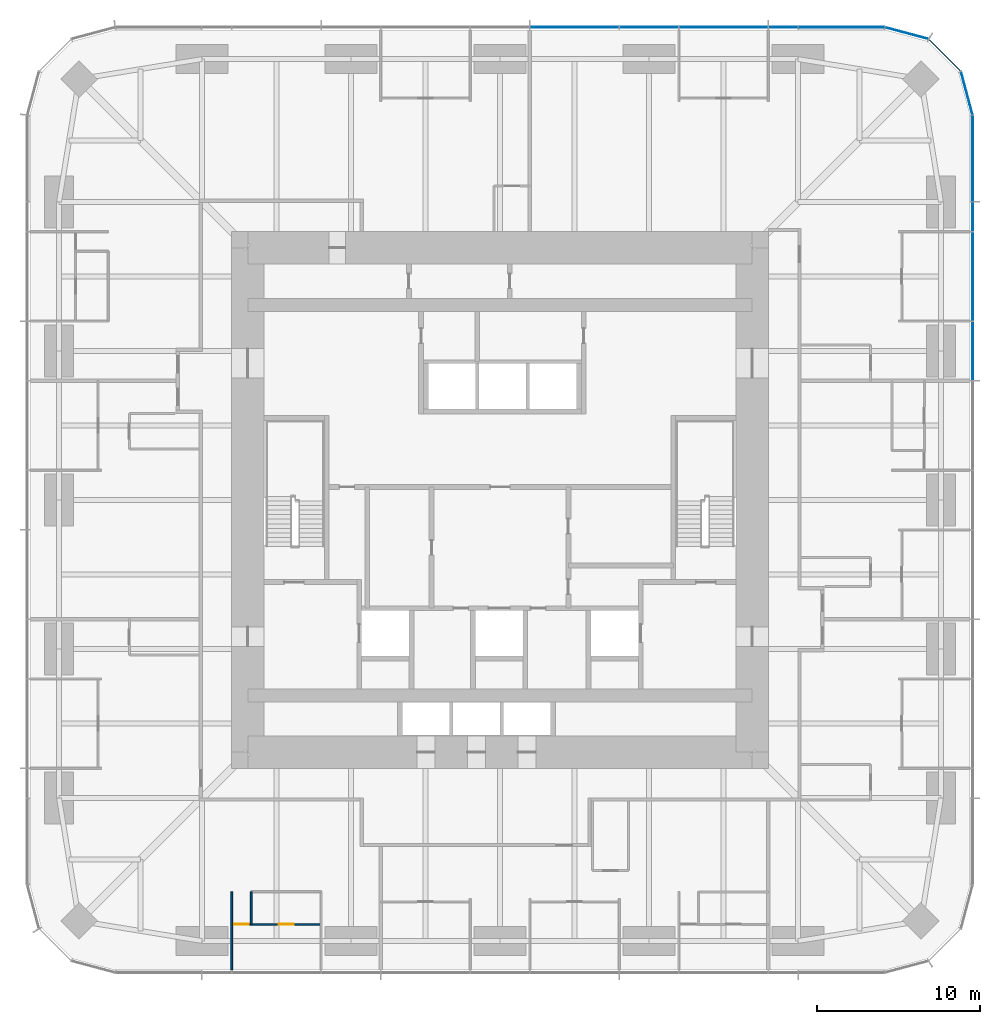
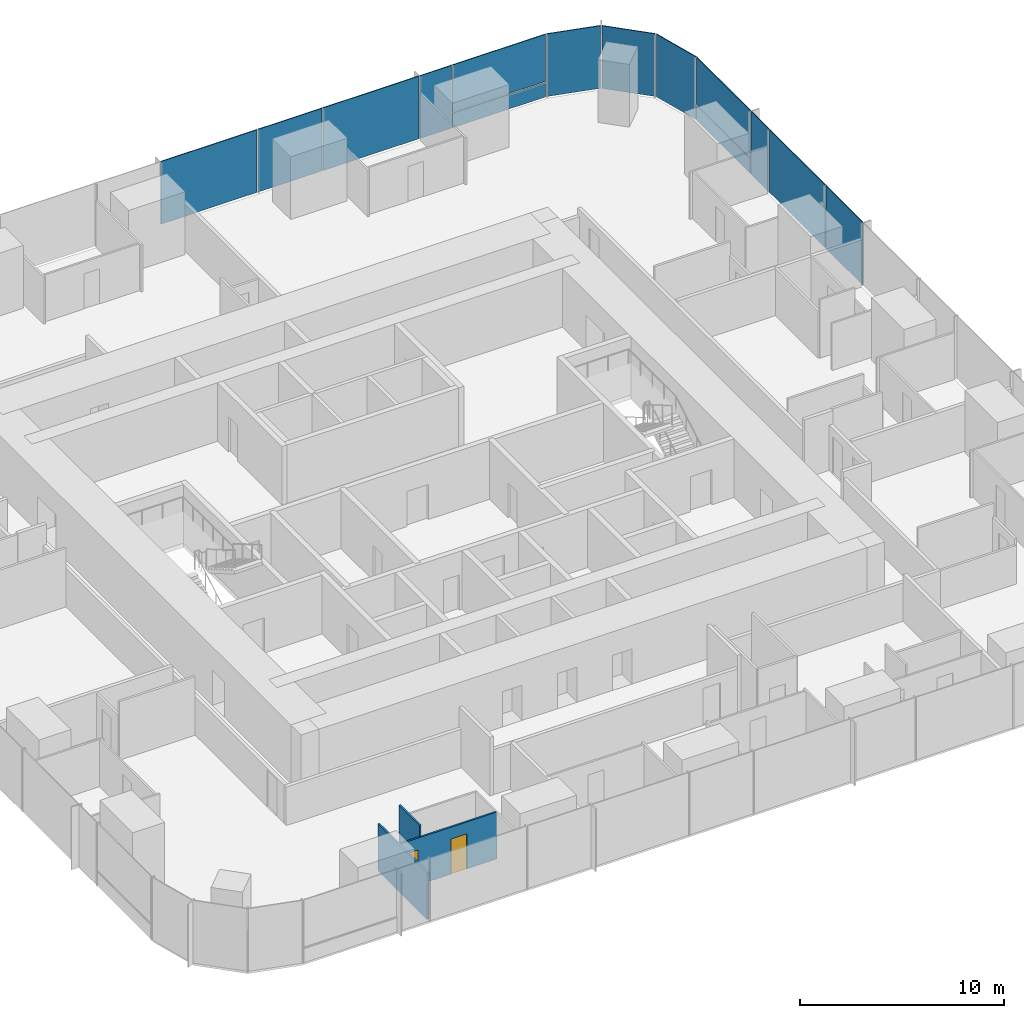
# One storey, part 8 of 13: 14 plates, 3 walls, 2 doors, 2 openings, 3 elements without a shape of their own.
"""IFC4 building model written with IfcOpenShell, lengths in metres."""

import ifcopenshell
import ifcopenshell.guid

model = None  # the IFC model being written
_history = None  # IfcOwnerHistory: only IFC2X3 demands one
_inside = {}  # id of a spatial element -> (the spatial element, [elements in it])
_under = {}  # id of a project, library or spatial element -> (it, [spatial elements below it])
_declared = {}  # id of a project -> (the project, [libraries it declares])
_typed = {}  # id of a type object -> (the type object, [elements of that type])
_made_of = {}  # id of a material, layer set ... -> (it, [elements and type objects made of it])


def new_model(schema):
    """Start an empty IFC model of exactly this schema.

    Asked for "IFC4X3", IfcOpenShell would pick the latest addendum, in which some entities
    have other attributes; the version numbers below select the first issue.
    IFC2X3 requires an IfcOwnerHistory on every rooted entity: one is made here for all.
    """
    global model, _history
    if schema == "IFC4X3":
        model = ifcopenshell.file(schema_version=(4, 3, 0, 0))
    else:
        model = ifcopenshell.file(schema=schema)
    _inside.clear()
    _under.clear()
    _declared.clear()
    _typed.clear()
    _made_of.clear()
    _history = None
    if model.schema == "IFC2X3":
        org = make("IfcOrganization", Name="unknown")
        user = make(
            "IfcPersonAndOrganization",
            ThePerson=make("IfcPerson", FamilyName="unknown"),
            TheOrganization=org,
        )
        app = make(
            "IfcApplication",
            ApplicationDeveloper=org,
            Version="unknown",
            ApplicationFullName="unknown",
            ApplicationIdentifier="unknown",
        )
        _history = make(
            "IfcOwnerHistory",
            OwningUser=user,
            OwningApplication=app,
            ChangeAction="ADDED",
            CreationDate=0,
        )
    return model


def make(cls, **values):
    """One entity of the class cls with the attributes given. An attribute that is None is left unset."""
    return model.create_entity(
        cls, **{name: value for name, value in values.items() if value is not None}
    )


def rooted(cls, **values):
    """An entity with a GlobalId (a new one), such as an element, a storey or a relation."""
    return make(cls, GlobalId=ifcopenshell.guid.new(), OwnerHistory=_history, **values)


def si_unit(unit_type, name, prefix=None):
    """IfcSIUnit, for example si_unit("LENGTHUNIT", "METRE", prefix="MILLI")."""
    return make("IfcSIUnit", UnitType=unit_type, Prefix=prefix, Name=name)


def assignment(units):
    """IfcUnitAssignment: the units of a project."""
    return None if units is None else make("IfcUnitAssignment", Units=units)


def point(xyz):
    """IfcCartesianPoint."""
    return None if xyz is None else make("IfcCartesianPoint", Coordinates=xyz)


def direction(xyz):
    """IfcDirection."""
    return None if xyz is None else make("IfcDirection", DirectionRatios=xyz)


def frame(location, z_axis=None, x_axis=None):
    """IfcAxis2Placement3D, a coordinate frame: its origin and axes. An axis left out is left unset."""
    return make(
        "IfcAxis2Placement3D",
        Location=point(location),
        Axis=direction(z_axis),
        RefDirection=direction(x_axis),
    )


def frame_2d(location, x_axis=None):
    """IfcAxis2Placement2D, a coordinate frame in the plane: its origin and x axis."""
    return make(
        "IfcAxis2Placement2D", Location=point(location), RefDirection=direction(x_axis)
    )


def origin():
    """The frame at (0, 0, 0) with its axes left unset."""
    return frame((0.0, 0.0, 0.0))


def origin_2d():
    """The frame at (0, 0) in the plane with its x axis left unset."""
    return frame_2d((0.0, 0.0))


def place(relative_to, where):
    """IfcLocalPlacement: puts the frame where relative to a parent placement (None: the world)."""
    return make(
        "IfcLocalPlacement", PlacementRelTo=relative_to, RelativePlacement=where
    )


def context(
    kind, dimensions, precision=None, world=None, true_north=None, identifier=None
):
    """IfcGeometricRepresentationContext, for example the 3D "Model" context."""
    return make(
        "IfcGeometricRepresentationContext",
        ContextIdentifier=identifier,
        ContextType=kind,
        CoordinateSpaceDimension=dimensions,
        Precision=precision,
        WorldCoordinateSystem=world,
        TrueNorth=true_north,
    )


def subcontext(parent, identifier, kind, view, scale=None):
    """IfcGeometricRepresentationSubContext, for example "Body" below "Model"."""
    return make(
        "IfcGeometricRepresentationSubContext",
        ContextIdentifier=identifier,
        ContextType=kind,
        ParentContext=parent,
        TargetScale=scale,
        TargetView=view,
    )


def project(units=None, contexts=None):
    """IfcProject with its units and contexts."""
    return rooted(
        "IfcProject",
        Name="project",
        RepresentationContexts=contexts,
        UnitsInContext=assignment(units),
    )


def spatial(cls, under=None, at=None, **own):
    """A site, building, storey or space (cls), placed at a placement, below another one or the project."""
    s = rooted(cls, ObjectPlacement=at, **own)
    if under is not None:
        _under.setdefault(under.id(), (under, []))[1].append(s)
    return s


def profile(cls, at=None, kind="AREA", **sizes):
    """A parametric profile (cls). Its sizes go by their IFC names, for example OverallWidth=200.0."""
    return make(cls, ProfileType=kind, Position=at, **sizes)


def rectangle(**sizes):
    """IfcRectangleProfileDef."""
    return profile("IfcRectangleProfileDef", **sizes)


def extrude(swept, where, along, depth):
    """IfcExtrudedAreaSolid: the profile swept, set in the frame where, extruded along a direction by depth."""
    return make(
        "IfcExtrudedAreaSolid",
        SweptArea=swept,
        Position=where,
        ExtrudedDirection=direction(along),
        Depth=depth,
    )


def shape(context_of_items, identifier, shape_type, items):
    """IfcShapeRepresentation: the items that make up one representation, for example the "Body"."""
    return make(
        "IfcShapeRepresentation",
        ContextOfItems=context_of_items,
        RepresentationIdentifier=identifier,
        RepresentationType=shape_type,
        Items=items,
    )


def material(Name=None, Category=None):
    """IfcMaterial."""
    return make("IfcMaterial", Name=Name, Category=Category)


def layer(
    of_material, thickness, ventilated=None, Name=None, Category=None, Priority=None
):
    """IfcMaterialLayer: one layer of a wall or slab, of a material (None: an air gap)."""
    return make(
        "IfcMaterialLayer",
        Material=of_material,
        LayerThickness=thickness,
        IsVentilated=ventilated,
        Name=Name,
        Category=Category,
        Priority=Priority,
    )


def layer_set(layers, Name=None):
    """IfcMaterialLayerSet."""
    return make("IfcMaterialLayerSet", MaterialLayers=layers, LayerSetName=Name)


def made_of(thing, what):
    """Note that an element or type object is made of a material, layer set ...; save() writes the relation."""
    if what is not None:
        _made_of.setdefault(what.id(), (what, []))[1].append(thing)
    return thing


def type_object(cls, material=None, **own):
    """A type object (cls), such as IfcWallType, which elements share."""
    return made_of(rooted(cls, **own), material)


def element(
    cls,
    number,
    at=None,
    inside=None,
    cuts=None,
    type_object=None,
    material=None,
    context=None,
    identifier="Body",
    shape_type=None,
    held_by="IfcProductDefinitionShape",
    body=None,
    shapes=None,
    **own,
):
    """One element of the class cls, such as IfcWall. Its Tag is "e" and its number.

    at: its placement. inside: the storey or other place that contains it. cuts: it is an
    opening in that element (IfcRelVoidsElement). A single representation is given by context,
    identifier, shape_type and body (its items); several are given by shapes. held_by: the class
    of the entity that holds the representations. save() writes the other relations.
    """
    e = rooted(cls, Tag="e%d" % number, ObjectPlacement=at, **own)
    if body is not None:
        shapes = [shape(context, identifier, shape_type, body)]
    if shapes is not None:
        e.Representation = make(held_by, Representations=shapes)
    if inside is not None:
        _inside.setdefault(inside.id(), (inside, []))[1].append(e)
    if cuts is not None:
        rooted(
            "IfcRelVoidsElement", RelatingBuildingElement=cuts, RelatedOpeningElement=e
        )
    if type_object is not None:
        _typed.setdefault(type_object.id(), (type_object, []))[1].append(e)
    return made_of(e, material)


def fill(opening, filler):
    """IfcRelFillsElement: the door or window that sits in an opening."""
    return rooted(
        "IfcRelFillsElement",
        RelatingOpeningElement=opening,
        RelatedBuildingElement=filler,
    )


def aggregate(whole, parts):
    """IfcRelAggregates: a whole, such as a stair, and the parts it consists of."""
    return rooted("IfcRelAggregates", RelatingObject=whole, RelatedObjects=parts)


def save(model, path):
    """Write the relations noted so far, then the file.

    IfcRelAggregates (storeys below a building ...), IfcRelContainedInSpatialStructure (elements
    in a storey), IfcRelDefinesByType, IfcRelAssociatesMaterial and IfcRelDeclares: one each for
    every whole, place, type object, material and project.
    """
    for whole, parts in _under.values():
        aggregate(whole, parts)
    for where, things in _inside.values():
        rooted(
            "IfcRelContainedInSpatialStructure",
            RelatedElements=things,
            RelatingStructure=where,
        )
    for kind, things in _typed.values():
        rooted("IfcRelDefinesByType", RelatedObjects=things, RelatingType=kind)
    for what, things in _made_of.values():
        rooted("IfcRelAssociatesMaterial", RelatedObjects=things, RelatingMaterial=what)
    for by, libraries in _declared.values():
        rooted("IfcRelDeclares", RelatingContext=by, RelatedDefinitions=libraries)
    model.write(path)


model = new_model("IFC4")

# Units and contexts
model_context = context("Model", 3, precision=1e-05, world=origin(), true_north=direction((0.0, 1.0)))
body_context = subcontext(model_context, "Body", "Model", "MODEL_VIEW")
ifc_project = project(units=[si_unit("LENGTHUNIT", "METRE"), si_unit("AREAUNIT", "SQUARE_METRE"), si_unit("VOLUMEUNIT", "CUBIC_METRE"), si_unit("PLANEANGLEUNIT", "RADIAN"), si_unit("MASSUNIT", "GRAM", prefix="KILO")], contexts=[model_context])

# Site, building, storey
site_placement = place(None, origin())
site = spatial("IfcSite", under=ifc_project, at=site_placement, CompositionType="ELEMENT")
building_placement = place(site_placement, origin())
building = spatial("IfcBuilding", under=site, at=building_placement, Name="Khuree Lantern Residences", CompositionType="ELEMENT")
storey_placement = place(building_placement, frame((0.0, 0.0, 129.75)))
storey = spatial("IfcBuildingStorey", under=building, at=storey_placement, Name="L32", CompositionType="ELEMENT", Elevation=129.75)

# Curtain wall, plates
ifc_material_1 = material(Name="Bronze anodised aluminium", Category="aluminium")
curtain_wall_type_1 = type_object("IfcCurtainWallType", Name="CW-T2 TOWER CORNER CURTAIN WALL", PredefinedType="USERDEFINED", material=ifc_material_1)
curtain_wall_1_placement = place(storey_placement, origin())
curtain_wall_1 = element("IfcCurtainWall", 1, at=curtain_wall_1_placement, inside=storey, type_object=curtain_wall_type_1, Name="L32 NORTH-EAST CORNER CURTAIN WALL", ObjectType="Faceted corner curtain wall", PredefinedType="USERDEFINED")
ifc_material_2 = material(Name="Bronze tinted triple glazing", Category="glass")
ifc_layer_1 = layer(ifc_material_2, 0.048095703125)
ifc_layer_set_1 = layer_set([ifc_layer_1], Name="FACET PANEL P4")
plate_type_1 = type_object("IfcPlateType", Name="FACET PANEL P4", PredefinedType="CURTAIN_PANEL", material=ifc_layer_set_1)
plate_1_placement = place(storey_placement, frame((28.688720703125, 24.998046875, 0.0), z_axis=(0.0, 0.0, 1.0), x_axis=(-0.258819105321, 0.965925810153, 0.0)))
plate_1 = element("IfcPlate", 2, at=plate_1_placement, type_object=plate_type_1, Name="L32 NORTH-EAST CORNER PANEL 15.1", PredefinedType="CURTAIN_PANEL", context=body_context, shape_type="SweptSolid", body=[
    extrude(rectangle(XDim=2.71923828125, YDim=0.048095703125, at=origin_2d()), origin(), (0.0, 0.0, 1.0), 3.75),
])
plate_2_placement = place(storey_placement, frame((27.33837890625, 27.33837890625, 0.0), z_axis=(0.0, 0.0, 1.0), x_axis=(-0.707106781187, 0.707106781187, 0.0)))
plate_2 = element("IfcPlate", 3, at=plate_2_placement, type_object=plate_type_1, Name="L32 NORTH-EAST CORNER PANEL 16.1", PredefinedType="CURTAIN_PANEL", context=body_context, shape_type="SweptSolid", body=[
    extrude(rectangle(XDim=2.715087890625, YDim=0.048095703125, at=origin_2d()), origin(), (0.0, 0.0, 1.0), 3.75),
])
plate_3_placement = place(storey_placement, frame((24.998046875, 28.688720703125, 0.0), z_axis=(0.0, 0.0, 1.0), x_axis=(-0.965925810153, 0.258819105321, 0.0)))
plate_3 = element("IfcPlate", 4, at=plate_3_placement, type_object=plate_type_1, Name="L32 NORTH-EAST CORNER PANEL 17.1", PredefinedType="CURTAIN_PANEL", context=body_context, shape_type="SweptSolid", body=[
    extrude(rectangle(XDim=2.71923828125, YDim=0.048095703125, at=origin_2d()), origin(), (0.0, 0.0, 1.0), 3.75),
])
aggregate(curtain_wall_1, [plate_1, plate_2, plate_3])

# Curtain wall, plate
curtain_wall_type_2 = type_object("IfcCurtainWallType", Name="CW-T1 TOWER FACE CURTAIN WALL", PredefinedType="USERDEFINED", material=ifc_material_1)
curtain_wall_2_placement = place(storey_placement, origin())
curtain_wall_2 = element("IfcCurtainWall", 5, at=curtain_wall_2_placement, inside=storey, type_object=curtain_wall_type_2, Name="L32 EAST FACE CURTAIN WALL", ObjectType="Stick-built curtain wall", PredefinedType="USERDEFINED")
ifc_material_3 = material(Name="Bronze tinted triple glazing with a ceramic-fritted spandrel band", Category="glass")
ifc_layer_2 = layer(ifc_material_3, 0.048095703125)
ifc_layer_set_2 = layer_set([ifc_layer_2], Name="FIXED LIGHT PANEL P11")
plate_type_2 = type_object("IfcPlateType", Name="FIXED LIGHT PANEL P11", PredefinedType="CURTAIN_PANEL", material=ifc_layer_set_2)
plate_4_placement = place(storey_placement, frame((29.050048828125, 13.739990234375, 0.0), z_axis=(0.0, 0.0, 1.0), x_axis=(0.0, 1.0, 0.0)))
plate_4 = element("IfcPlate", 6, at=plate_4_placement, type_object=plate_type_2, Name="L32 EAST FACE PANEL 12.1", PredefinedType="CURTAIN_PANEL", context=body_context, shape_type="SweptSolid", body=[
    extrude(rectangle(XDim=5.430908203125, YDim=0.048095703125, at=origin_2d()), origin(), (0.0, 0.0, 1.0), 3.75),
])

# Curtain wall, plates
curtain_wall_3_placement = place(storey_placement, origin())
curtain_wall_3 = element("IfcCurtainWall", 7, at=curtain_wall_3_placement, inside=storey, type_object=curtain_wall_type_2, Name="L32 NORTH FACE CURTAIN WALL", ObjectType="Stick-built curtain wall", PredefinedType="USERDEFINED")
plate_5_placement = place(storey_placement, frame((13.739990234375, 29.050048828125, 0.0), z_axis=(0.0, 0.0, 1.0), x_axis=(-1.0, 0.0, 0.0)))
plate_5 = element("IfcPlate", 8, at=plate_5_placement, type_object=plate_type_2, Name="L32 NORTH FACE PANEL 20.1", PredefinedType="CURTAIN_PANEL", context=body_context, shape_type="SweptSolid", body=[
    extrude(rectangle(XDim=5.430908203125, YDim=0.048095703125, at=origin_2d()), origin(), (0.0, 0.0, 1.0), 3.75),
])
plate_6_placement = place(storey_placement, frame((4.580078125, 29.050048828125, 0.0), z_axis=(0.0, 0.0, 1.0), x_axis=(-1.0, 0.0, 0.0)))
plate_6 = element("IfcPlate", 9, at=plate_6_placement, type_object=plate_type_2, Name="L32 NORTH FACE PANEL 22.1", PredefinedType="CURTAIN_PANEL", context=body_context, shape_type="SweptSolid", body=[
    extrude(rectangle(XDim=5.430908203125, YDim=0.048095703125, at=origin_2d()), origin(), (0.0, 0.0, 1.0), 3.75),
])

# Plate
ifc_material_4 = material(Name="Bronze tinted triple glazing, two aluminium-framed sashes in one frame", Category="aluminium")
ifc_layer_3 = layer(ifc_material_4, 0.048095703125)
ifc_layer_set_3 = layer_set([ifc_layer_3], Name="SASH PAIR PANEL P12")
plate_type_3 = type_object("IfcPlateType", Name="SASH PAIR PANEL P12", PredefinedType="CURTAIN_PANEL", material=ifc_layer_set_3)
plate_7_placement = place(storey_placement, frame((29.050048828125, 9.159912109375, 0.0), z_axis=(0.0, 0.0, 1.0), x_axis=(0.0, 1.0, 0.0)))
plate_7 = element("IfcPlate", 10, at=plate_7_placement, type_object=plate_type_3, Name="L32 EAST FACE PANEL 11.1", PredefinedType="CURTAIN_PANEL", context=body_context, shape_type="SweptSolid", body=[
    extrude(rectangle(XDim=3.59912109375, YDim=0.048095703125, at=origin_2d()), origin(), (0.0, 0.0, 1.0), 3.75),
])

plate_8_placement = place(storey_placement, frame((9.159912109375, 29.050048828125, 0.0), z_axis=(0.0, 0.0, 1.0), x_axis=(-1.0, 0.0, 0.0)))
plate_8 = element("IfcPlate", 11, at=plate_8_placement, type_object=plate_type_3, Name="L32 NORTH FACE PANEL 21.1", PredefinedType="CURTAIN_PANEL", context=body_context, shape_type="SweptSolid", body=[
    extrude(rectangle(XDim=3.59912109375, YDim=0.048095703125, at=origin_2d()), origin(), (0.0, 0.0, 1.0), 3.75),
])

ifc_material_5 = material(Name="Bronze tinted triple glazing, aluminium-framed sash", Category="aluminium")
ifc_layer_4 = layer(ifc_material_5, 0.048095703125)
ifc_layer_set_4 = layer_set([ifc_layer_4], Name="SASH PANEL P3")
plate_type_4 = type_object("IfcPlateType", Name="SASH PANEL P3", PredefinedType="CURTAIN_PANEL", material=ifc_layer_set_4)
plate_9_placement = place(storey_placement, frame((29.050048828125, 17.404052734375, 0.0), z_axis=(0.0, 0.0, 1.0), x_axis=(0.0, 1.0, 0.0)))
plate_9 = element("IfcPlate", 12, at=plate_9_placement, type_object=plate_type_4, Name="L32 EAST FACE PANEL 13.1", PredefinedType="CURTAIN_PANEL", context=body_context, shape_type="SweptSolid", body=[
    extrude(rectangle(XDim=1.76708984375, YDim=0.048095703125, at=origin_2d()), origin(), (0.0, 0.0, 1.0), 3.75),
])

plate_10_placement = place(storey_placement, frame((17.404052734375, 29.050048828125, 0.0), z_axis=(0.0, 0.0, 1.0), x_axis=(-1.0, 0.0, 0.0)))
plate_10 = element("IfcPlate", 13, at=plate_10_placement, type_object=plate_type_4, Name="L32 NORTH FACE PANEL 19.1", PredefinedType="CURTAIN_PANEL", context=body_context, shape_type="SweptSolid", body=[
    extrude(rectangle(XDim=1.76708984375, YDim=0.048095703125, at=origin_2d()), origin(), (0.0, 0.0, 1.0), 3.75),
])

ifc_material_6 = material(Name="Bronze anodised aluminium insulated spandrel", Category="aluminium")
ifc_layer_5 = layer(ifc_material_6, 0.06005859375)
ifc_layer_set_5 = layer_set([ifc_layer_5], Name="SPANDREL PANEL P2")
plate_type_5 = type_object("IfcPlateType", Name="SPANDREL PANEL P2", PredefinedType="CURTAIN_PANEL", material=ifc_layer_set_5)
plate_11_placement = place(storey_placement, frame((29.050048828125, 20.98291015625, 0.0), z_axis=(0.0, 0.0, 1.0), x_axis=(0.0, 1.0, 0.0)))
plate_11 = element("IfcPlate", 14, at=plate_11_placement, type_object=plate_type_5, Name="L32 EAST FACE PANEL 14.1", PredefinedType="CURTAIN_PANEL", context=body_context, shape_type="SweptSolid", body=[
    extrude(rectangle(XDim=5.2607421875, YDim=0.06005859375, at=origin_2d()), origin(), (0.0, 0.0, 1.0), 0.867431640625),
])

plate_12_placement = place(storey_placement, frame((20.98291015625, 29.050048828125, 0.0), z_axis=(0.0, 0.0, 1.0), x_axis=(-1.0, 0.0, 0.0)))
plate_12 = element("IfcPlate", 15, at=plate_12_placement, type_object=plate_type_5, Name="L32 NORTH FACE PANEL 18.1", PredefinedType="CURTAIN_PANEL", context=body_context, shape_type="SweptSolid", body=[
    extrude(rectangle(XDim=5.2607421875, YDim=0.06005859375, at=origin_2d()), origin(), (0.0, 0.0, 1.0), 0.867431640625),
])

ifc_layer_6 = layer(ifc_material_2, 0.048095703125)
ifc_layer_set_6 = layer_set([ifc_layer_6], Name="VISION PANEL P1")
plate_type_6 = type_object("IfcPlateType", Name="VISION PANEL P1", PredefinedType="CURTAIN_PANEL", material=ifc_layer_set_6)
plate_13_placement = place(storey_placement, frame((29.050048828125, 20.9833984375, 0.9326171875), z_axis=(0.0, 0.0, 1.0), x_axis=(0.0, 1.0, 0.0)))
plate_13 = element("IfcPlate", 16, at=plate_13_placement, type_object=plate_type_6, Name="L32 EAST FACE PANEL 14.2", PredefinedType="CURTAIN_PANEL", context=body_context, shape_type="SweptSolid", body=[
    extrude(rectangle(XDim=5.261474609375, YDim=0.048095703125, at=origin_2d()), origin(), (0.0, 0.0, 1.0), 2.8173828125),
])

aggregate(curtain_wall_2, [plate_7, plate_4, plate_9, plate_11, plate_13])

plate_14_placement = place(storey_placement, frame((20.9833984375, 29.050048828125, 0.9326171875), z_axis=(0.0, 0.0, 1.0), x_axis=(-1.0, 0.0, 0.0)))
plate_14 = element("IfcPlate", 17, at=plate_14_placement, type_object=plate_type_6, Name="L32 NORTH FACE PANEL 18.2", PredefinedType="CURTAIN_PANEL", context=body_context, shape_type="SweptSolid", body=[
    extrude(rectangle(XDim=5.261474609375, YDim=0.048095703125, at=origin_2d()), origin(), (0.0, 0.0, 1.0), 2.8173828125),
])

aggregate(curtain_wall_3, [plate_12, plate_14, plate_10, plate_5, plate_8, plate_6])

# Wall
ifc_material_7 = material(Name="Gypsum board on steel studs", Category="steel")
ifc_layer_7 = layer(ifc_material_7, 0.10009765625)
ifc_layer_set_7 = layer_set([ifc_layer_7], Name="PARTITION PT100")
wall_type = type_object("IfcWallType", Name="PARTITION PT100", PredefinedType="PARTITIONING", material=ifc_layer_set_7)
wall_1_placement = place(storey_placement, frame((-16.488037109375, -24.079833984375, 0.0), z_axis=(0.0, 0.0, 1.0), x_axis=(0.0, -1.0, 0.0)))
element("IfcWall", 18, at=wall_1_placement, inside=storey, type_object=wall_type, Name="L32 PARTITION 05", PredefinedType="PARTITIONING", context=body_context, shape_type="SweptSolid", body=[
    extrude(rectangle(XDim=4.820068359375, YDim=0.10009765625, at=frame_2d((2.41015625, 0.0))), origin(), (0.0, 0.0, 1.0), 2.81005859375),
])

# Wall, openings, doors
wall_2_placement = place(storey_placement, frame((-16.488037109375, -26.079833984375, 0.0), z_axis=(0.0, 0.0, 1.0), x_axis=(1.0, 0.0, 0.0)))
wall_2 = element("IfcWall", 19, at=wall_2_placement, inside=storey, type_object=wall_type, Name="L32 PARTITION 05", PredefinedType="PARTITIONING", context=body_context, shape_type="SweptSolid", body=[
    extrude(rectangle(XDim=5.49609375, YDim=0.10009765625, at=frame_2d((2.748046875, 0.0))), origin(), (0.0, 0.0, 1.0), 2.81005859375),
])
opening_1_placement = place(wall_2_placement, frame((0.14990234375, 0.0, 0.0)))
opening_1 = element("IfcOpeningElement", 20, at=opening_1_placement, cuts=wall_2, Name="Opening 32-043", PredefinedType="OPENING", context=body_context, shape_type="SweptSolid", body=[
    extrude(rectangle(XDim=0.89990234375, YDim=2.10009765625, at=frame_2d((0.449951171875, 1.050048828125))), frame((0.0, 0.06005859375, 0.0), z_axis=(0.0, -1.0, 0.0), x_axis=(1.0, 0.0, 0.0)), (0.0, 0.0, 1.0), 0.1201171875),
])
opening_2_placement = place(wall_2_placement, frame((2.89794921875, 0.0, 0.0)))
opening_2 = element("IfcOpeningElement", 21, at=opening_2_placement, cuts=wall_2, Name="Opening 32-044", PredefinedType="OPENING", context=body_context, shape_type="SweptSolid", body=[
    extrude(rectangle(XDim=0.89990234375, YDim=2.10009765625, at=frame_2d((0.449951171875, 1.050048828125))), frame((0.0, 0.06005859375, 0.0), z_axis=(0.0, -1.0, 0.0), x_axis=(1.0, 0.0, 0.0)), (0.0, 0.0, 1.0), 0.1201171875),
])
ifc_material_8 = material(Name="Timber door leaf in hardwood frame", Category="wood")
door_type_1 = type_object("IfcDoorType", Name="BEDROOM DOOR 900X2100", OperationType="SINGLE_SWING_LEFT", PredefinedType="DOOR", material=ifc_material_8)
door_1_placement = place(opening_1_placement, origin())
door_1 = element("IfcDoor", 22, at=door_1_placement, inside=storey, type_object=door_type_1, Name="Bedroom door 32-043", OperationType="SINGLE_SWING_LEFT", OverallHeight=2.10009765625, OverallWidth=0.89990234375, PredefinedType="DOOR", context=body_context, shape_type="SweptSolid", body=[
    extrude(rectangle(XDim=0.89990234375, YDim=2.10009765625, at=frame_2d((0.449951171875, 1.050048828125))), frame((0.0, 0.02490234375, 0.0), z_axis=(0.0, -1.0, 0.0), x_axis=(1.0, 0.0, 0.0)), (0.0, 0.0, 1.0), 0.050048828125),
])
fill(opening_1, door_1)
door_type_2 = type_object("IfcDoorType", Name="DOOR 900X2100", OperationType="SINGLE_SWING_LEFT", PredefinedType="DOOR", material=ifc_material_8)
door_2_placement = place(opening_2_placement, origin())
door_2 = element("IfcDoor", 23, at=door_2_placement, inside=storey, type_object=door_type_2, Name="Wardrobe door 32-044", OperationType="SINGLE_SWING_LEFT", OverallHeight=2.10009765625, OverallWidth=0.89990234375, PredefinedType="DOOR", context=body_context, shape_type="SweptSolid", body=[
    extrude(rectangle(XDim=0.89990234375, YDim=2.10009765625, at=frame_2d((0.449951171875, 1.050048828125))), frame((0.0, 0.02490234375, 0.0), z_axis=(0.0, -1.0, 0.0), x_axis=(1.0, 0.0, 0.0)), (0.0, 0.0, 1.0), 0.050048828125),
])
fill(opening_2, door_2)

# Wall
wall_3_placement = place(storey_placement, frame((-15.2880859375, -24.079833984375, 0.0), z_axis=(0.0, 0.0, 1.0), x_axis=(0.0, -1.0, 0.0)))
element("IfcWall", 24, at=wall_3_placement, inside=storey, type_object=wall_type, Name="L32 PARTITION 05", PredefinedType="PARTITIONING", context=body_context, shape_type="SweptSolid", body=[
    extrude(rectangle(XDim=2.0, YDim=0.10009765625, at=frame_2d((1.0, 0.0))), origin(), (0.0, 0.0, 1.0), 3.5),
])

save(model, "model.ifc")
